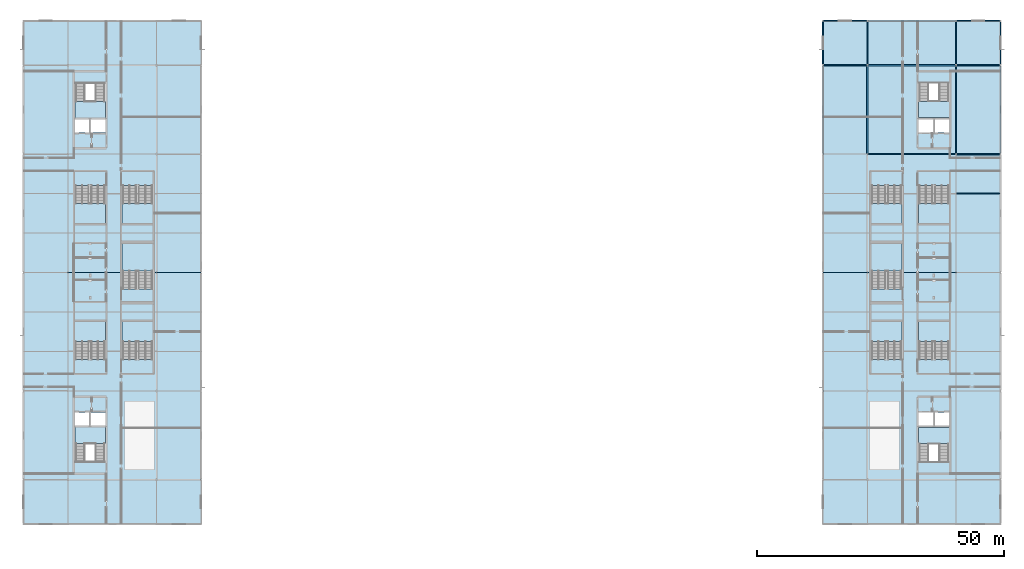
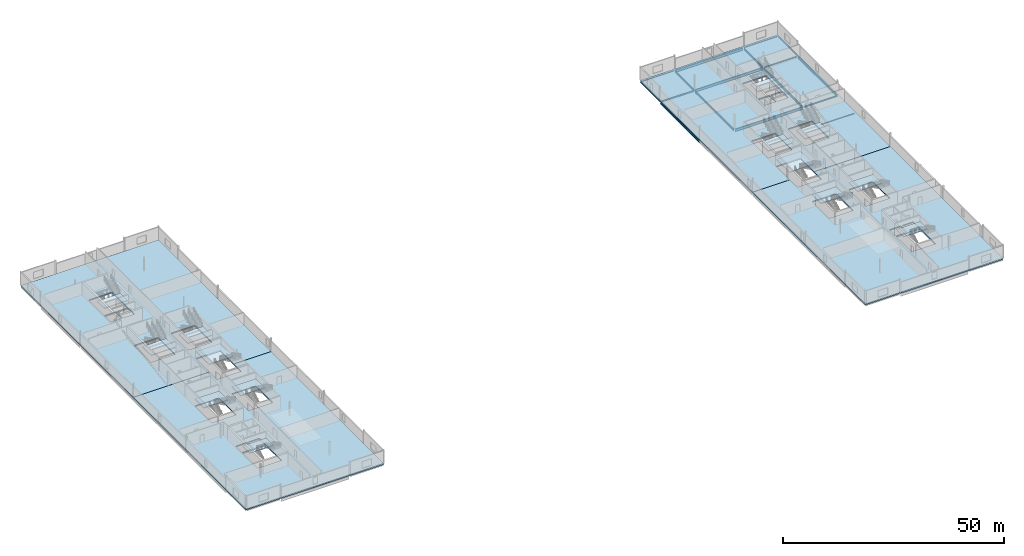
# One storey, part 10 of 27: 18 slabs, 17 beams, 14 elements without a shape of their own.
"""IFC4 building model written with IfcOpenShell, lengths in metres."""

from ifc_helpers import new_model, si_unit, direction, frame, origin, origin_2d, place, context, subcontext, project, spatial, polyline, hollow_rectangle, i_section, outline, extrude, material, layer, layer_set, material_profile, profile_set, type_object, element, aggregate, save


model = new_model("IFC4")

# Units and contexts
model_context = context("Model", 3, precision=1e-05, world=origin(), true_north=direction((0.0, 1.0)))
body_context = subcontext(model_context, "Body", "Model", "MODEL_VIEW")
ifc_project = project(units=[si_unit("LENGTHUNIT", "METRE"), si_unit("AREAUNIT", "SQUARE_METRE"), si_unit("VOLUMEUNIT", "CUBIC_METRE"), si_unit("PLANEANGLEUNIT", "RADIAN"), si_unit("MASSUNIT", "GRAM", prefix="KILO")], contexts=[model_context])

# Site, building, storey
site_placement = place(None, origin())
site = spatial("IfcSite", under=ifc_project, at=site_placement, CompositionType="ELEMENT")
building_placement = place(site_placement, origin())
building = spatial("IfcBuilding", under=site, at=building_placement, Name="Kisiwana Market Hall", CompositionType="ELEMENT")
storey_placement = place(building_placement, frame((0.0, 0.0, 41.699951171875)))
storey = spatial("IfcBuildingStorey", under=building, at=storey_placement, Name="L09", CompositionType="ELEMENT", Elevation=41.699951171875)

# Beams
ifc_material_1 = material(Name="Steel S355", Category="steel")
ifc_material_profile_1 = material_profile(ifc_material_1, i_section(OverallWidth=0.179931640625, OverallDepth=0.39990234375, WebThickness=0.008544921875, FlangeThickness=0.013427734375, FilletRadius=0.02099609375, at=origin_2d()), Name="IPE 400")
ifc_profile_set_1 = profile_set([ifc_material_profile_1], Name="Steel S355")
beam_type_1 = type_object("IfcBeamType", Name="BM-GIRD-IPE400", PredefinedType="BEAM", material=ifc_profile_set_1)
beam_1_placement = place(storey_placement, frame((189.14599609375, 84.0, -0.534912109375), z_axis=(1.0, 0.0, 0.0), x_axis=(0.0, 1.0, 0.0)))
element("IfcBeam", 1, at=beam_1_placement, inside=storey, type_object=beam_type_1, Name="Floor beam B-2297", PredefinedType="BEAM", context=body_context, shape_type="SweptSolid", body=[
    extrude(i_section(OverallWidth=0.179931640625, OverallDepth=0.39990234375, WebThickness=0.008544921875, FlangeThickness=0.013427734375, FilletRadius=0.02099609375, at=origin_2d()), origin(), (0.0, 0.0, 1.0), 8.748046875),
])
ifc_material_2 = material(Name="Steel S355", Category="steel")
ifc_material_profile_2 = material_profile(ifc_material_2, i_section(OverallWidth=0.18994140625, OverallDepth=0.449951171875, WebThickness=0.009521484375, FlangeThickness=0.0146484375, FilletRadius=0.02099609375, at=origin_2d()), Name="IPE 450")
ifc_profile_set_2 = profile_set([ifc_material_profile_2], Name="Steel S355")
beam_type_2 = type_object("IfcBeamType", Name="BM-GIRD-IPE450", PredefinedType="BEAM", material=ifc_profile_set_2)
beam_2_placement = place(storey_placement, frame((162.10595703125, 102.0, -0.56005859375), z_axis=(1.0, 0.0, 0.0), x_axis=(0.0, 1.0, 0.0)))
element("IfcBeam", 2, at=beam_2_placement, inside=storey, type_object=beam_type_2, Name="Floor beam B-2301", PredefinedType="BEAM", context=body_context, shape_type="SweptSolid", body=[
    extrude(i_section(OverallWidth=0.18994140625, OverallDepth=0.449951171875, WebThickness=0.009521484375, FlangeThickness=0.0146484375, FilletRadius=0.02099609375, at=origin_2d()), origin(), (0.0, 0.0, 1.0), 8.748046875),
])
ifc_material_3 = material(Name="Steel S355", Category="steel")
ifc_material_profile_3 = material_profile(ifc_material_3, i_section(OverallWidth=0.209228515625, OverallDepth=0.533203125, WebThickness=0.010009765625, FlangeThickness=0.015625, at=origin_2d()), Name="UB 533x210x92")
ifc_profile_set_3 = profile_set([ifc_material_profile_3], Name="Steel S355")
beam_type_3 = type_object("IfcBeamType", Name="BM-GIRD-UB533", PredefinedType="BEAM", material=ifc_profile_set_3)
for number, where, z_axis, x_axis, name in (
    (3, (171.0, 102.14599609375, -0.6015625), (0.0, 1.0, 0.0), (-1.0, 0.0, 0.0), "Primary girder B-2243"),
    (4, (189.0, 102.14599609375, -0.6015625), (0.0, 1.0, 0.0), (-1.0, 0.0, 0.0), "Primary girder B-2249"),
):
    element("IfcBeam", number, at=place(storey_placement, frame(where, z_axis=z_axis, x_axis=x_axis)), inside=storey, type_object=beam_type_3, Name=name, PredefinedType="BEAM", context=body_context, shape_type="SweptSolid", body=[
        extrude(i_section(OverallWidth=0.209228515625, OverallDepth=0.533203125, WebThickness=0.010009765625, FlangeThickness=0.015625, at=origin_2d()), origin(), (0.0, 0.0, 1.0), 8.7080078125),
    ])
ifc_material_4 = material(Name="Steel S355", Category="steel")
ifc_material_profile_4 = material_profile(ifc_material_4, i_section(OverallWidth=0.22900390625, OverallDepth=0.6123046875, WebThickness=0.011962890625, FlangeThickness=0.01953125, at=origin_2d()), Name="UB 610x229x125")
ifc_profile_set_4 = profile_set([ifc_material_profile_4], Name="Steel S355")
beam_type_4 = type_object("IfcBeamType", Name="BM-GIRD-UB610H", PredefinedType="BEAM", material=ifc_profile_set_4)
for number, where, z_axis, x_axis, name in (
    (5, (162.0, 84.10595703125, -0.64111328125), (0.0, 1.0, 0.0), (-1.0, 0.0, 0.0), "Floor beam B-2324"),
    (6, (198.0, 84.10595703125, -0.64111328125), (0.0, 1.0, 0.0), (-1.0, 0.0, 0.0), "Floor beam B-2332"),
):
    element("IfcBeam", number, at=place(storey_placement, frame(where, z_axis=z_axis, x_axis=x_axis)), inside=storey, type_object=beam_type_4, Name=name, PredefinedType="BEAM", context=body_context, shape_type="SweptSolid", body=[
        extrude(i_section(OverallWidth=0.22900390625, OverallDepth=0.6123046875, WebThickness=0.011962890625, FlangeThickness=0.01953125, at=origin_2d()), origin(), (0.0, 0.0, 1.0), 17.7880859375),
    ])
for number, where, z_axis, x_axis, name in (
    (7, (171.0, 84.14599609375, -0.64111328125), (0.0, 1.0, 0.0), (-1.0, 0.0, 0.0), "Primary girder B-2242"),
    (8, (189.0, 84.14599609375, -0.64111328125), (0.0, 1.0, 0.0), (-1.0, 0.0, 0.0), "Primary girder B-2248"),
):
    element("IfcBeam", number, at=place(storey_placement, frame(where, z_axis=z_axis, x_axis=x_axis)), inside=storey, type_object=beam_type_4, Name=name, PredefinedType="BEAM", context=body_context, shape_type="SweptSolid", body=[
        extrude(i_section(OverallWidth=0.22900390625, OverallDepth=0.6123046875, WebThickness=0.011962890625, FlangeThickness=0.01953125, at=origin_2d()), origin(), (0.0, 0.0, 1.0), 17.7080078125),
    ])
ifc_material_5 = material(Name="Steel S355", Category="steel")
ifc_material_profile_5 = material_profile(ifc_material_5, i_section(OverallWidth=0.2666015625, OverallDepth=0.76220703125, WebThickness=0.014404296875, FlangeThickness=0.021484375, at=origin_2d()), Name="UB 762x267x173")
ifc_profile_set_5 = profile_set([ifc_material_profile_5], Name="Steel S355")
beam_type_5 = type_object("IfcBeamType", Name="BM-GIRD-UB762", PredefinedType="BEAM", material=ifc_profile_set_5)
for number, where, z_axis, x_axis, name in (
    (9, (171.14599609375, 84.0, -0.716064453125), (1.0, 0.0, 0.0), (0.0, 1.0, 0.0), "Floor beam B-2296"),
    (10, (171.14599609375, 102.0, -0.716064453125), (1.0, 0.0, 0.0), (0.0, 1.0, 0.0), "Floor beam B-2302"),
    (11, (171.14599609375, 111.0, -0.716064453125), (1.0, 0.0, 0.0), (0.0, 1.0, 0.0), "Floor beam B-2308"),
):
    element("IfcBeam", number, at=place(storey_placement, frame(where, z_axis=z_axis, x_axis=x_axis)), inside=storey, type_object=beam_type_5, Name=name, PredefinedType="BEAM", context=body_context, shape_type="SweptSolid", body=[
        extrude(i_section(OverallWidth=0.2666015625, OverallDepth=0.76220703125, WebThickness=0.014404296875, FlangeThickness=0.021484375, at=origin_2d()), origin(), (0.0, 0.0, 1.0), 17.7080078125),
    ])
ifc_material_6 = material(Name="Steel S355", Category="steel")
ifc_material_profile_6 = material_profile(ifc_material_6, i_section(OverallWidth=0.169921875, OverallDepth=0.360107421875, WebThickness=0.008056640625, FlangeThickness=0.0126953125, FilletRadius=0.01806640625, at=origin_2d()), Name="IPE 360")
ifc_profile_set_6 = profile_set([ifc_material_profile_6], Name="Steel S355")
beam_type_6 = type_object("IfcBeamType", Name="BM-JOIST-IPE360", PredefinedType="JOIST", material=ifc_profile_set_6)
beam_3_placement = place(storey_placement, frame((189.14599609375, 102.0, -0.514892578125), z_axis=(1.0, 0.0, 0.0), x_axis=(0.0, 1.0, 0.0)))
element("IfcBeam", 12, at=beam_3_placement, inside=storey, type_object=beam_type_6, Name="Floor beam B-2303", PredefinedType="JOIST", context=body_context, shape_type="SweptSolid", body=[
    extrude(i_section(OverallWidth=0.169921875, OverallDepth=0.360107421875, WebThickness=0.008056640625, FlangeThickness=0.0126953125, FilletRadius=0.01806640625, at=origin_2d()), origin(), (0.0, 0.0, 1.0), 8.748046875),
])
ifc_material_7 = material(Name="Steel S355", Category="steel")
ifc_material_profile_7 = material_profile(ifc_material_7, i_section(OverallWidth=0.165771484375, OverallDepth=0.306640625, WebThickness=0.006591796875, FlangeThickness=0.01171875, at=origin_2d()), Name="UB 305x165x46")
ifc_profile_set_7 = profile_set([ifc_material_profile_7], Name="Steel S355")
beam_type_7 = type_object("IfcBeamType", Name="BM-JOIST-UB305H", PredefinedType="JOIST", material=ifc_profile_set_7)
beam_4_placement = place(storey_placement, frame((189.113525390625, 76.0, -0.48828125), z_axis=(1.0, 0.0, 0.0), x_axis=(0.0, 1.0, 0.0)))
element("IfcBeam", 13, at=beam_4_placement, inside=storey, type_object=beam_type_7, Name="Secondary floor joist B-2273", PredefinedType="JOIST", context=body_context, shape_type="SweptSolid", body=[
    extrude(i_section(OverallWidth=0.165771484375, OverallDepth=0.306640625, WebThickness=0.006591796875, FlangeThickness=0.01171875, at=origin_2d()), origin(), (0.0, 0.0, 1.0), 8.77294921875),
])
ifc_material_8 = material(Name="Steel S355", Category="steel")
ifc_material_profile_8 = material_profile(ifc_material_8, hollow_rectangle(XDim=0.14990234375, YDim=0.25, WallThickness=0.010009765625, at=origin_2d()), Name="RHS 250x150x10.0")
ifc_profile_set_8 = profile_set([ifc_material_profile_8], Name="Steel S355")
beam_type_8 = type_object("IfcBeamType", Name="BM-SPAN-RHS250", PredefinedType="SPANDREL", material=ifc_profile_set_8)
for number, where, z_axis, x_axis, name in (
    (14, (162.10595703125, 111.0, -0.4599609375), (1.0, 0.0, 0.0), (0.0, 1.0, 0.0), "Floor beam B-2307"),
    (15, (189.14599609375, 111.0, -0.4599609375), (1.0, 0.0, 0.0), (0.0, 1.0, 0.0), "Floor beam B-2309"),
):
    element("IfcBeam", number, at=place(storey_placement, frame(where, z_axis=z_axis, x_axis=x_axis)), inside=storey, type_object=beam_type_8, Name=name, PredefinedType="SPANDREL", context=body_context, shape_type="SweptSolid", body=[
        extrude(hollow_rectangle(XDim=0.14990234375, YDim=0.25, WallThickness=0.010009765625, at=origin_2d()), origin(), (0.0, 0.0, 1.0), 8.748046875),
    ])
for number, where, z_axis, x_axis, name in (
    (16, (162.0, 102.10595703125, -0.4599609375), (0.0, 1.0, 0.0), (-1.0, 0.0, 0.0), "Floor beam B-2325"),
    (17, (198.0, 102.10595703125, -0.4599609375), (0.0, 1.0, 0.0), (-1.0, 0.0, 0.0), "Floor beam B-2333"),
):
    element("IfcBeam", number, at=place(storey_placement, frame(where, z_axis=z_axis, x_axis=x_axis)), inside=storey, type_object=beam_type_8, Name=name, PredefinedType="SPANDREL", context=body_context, shape_type="SweptSolid", body=[
        extrude(hollow_rectangle(XDim=0.14990234375, YDim=0.25, WallThickness=0.010009765625, at=origin_2d()), origin(), (0.0, 0.0, 1.0), 8.7880859375),
    ])

# Stair, slab
ifc_material_9 = material(Name="Concrete C32/40", Category="concrete")
stair_type_1 = type_object("IfcStairType", Name="ST-TWR-3900", PredefinedType="TWO_STRAIGHT_RUN_STAIR", material=ifc_material_9)
stair_1_placement = place(storey_placement, origin())
stair_1 = element("IfcStair", 18, at=stair_1_placement, inside=storey, type_object=stair_type_1, Name="Escape stair ST-W2-L09", PredefinedType="TWO_STRAIGHT_RUN_STAIR")
ifc_material_10 = material(Name="Concrete C32/40", Category="concrete")
ifc_layer_1 = layer(ifc_material_10, 0.239990234375)
ifc_layer_set_1 = layer_set([ifc_layer_1], Name="SL-LANDING-160")
slab_type_1 = type_object("IfcSlabType", Name="SL-LANDING-160", PredefinedType="LANDING", material=ifc_layer_set_1)
slab_1_placement = place(storey_placement, frame((0.0, 0.0, 1.7099609375)))
slab_1 = element("IfcSlab", 19, at=slab_1_placement, type_object=slab_type_1, Name="ST-W2-L09 landing 1 S-356", PredefinedType="LANDING", context=body_context, shape_type="SweptSolid", body=[
    extrude(outline(polyline([(10.405029296875, 25.333984375), (16.594970703125, 25.333984375), (16.594970703125, 28.64501953125), (10.405029296875, 28.64501953125), (10.405029296875, 25.333984375)])), origin(), (0.0, 0.0, 1.0), 0.239990234375),
])
aggregate(stair_1, [slab_1])

stair_2_placement = place(storey_placement, origin())
stair_2 = element("IfcStair", 20, at=stair_2_placement, inside=storey, type_object=stair_type_1, Name="Escape stair ST-W1-L09", PredefinedType="TWO_STRAIGHT_RUN_STAIR")
slab_2_placement = place(storey_placement, frame((0.0, 0.0, 1.7099609375)))
slab_2 = element("IfcSlab", 21, at=slab_2_placement, type_object=slab_type_1, Name="ST-W1-L09 landing 1 S-355", PredefinedType="LANDING", context=body_context, shape_type="SweptSolid", body=[
    extrude(outline(polyline([(10.405029296875, 91.35498046875), (16.594970703125, 91.35498046875), (16.594970703125, 94.666015625), (10.405029296875, 94.666015625), (10.405029296875, 91.35498046875)])), origin(), (0.0, 0.0, 1.0), 0.239990234375),
])
aggregate(stair_2, [slab_2])

stair_3_placement = place(storey_placement, origin())
stair_3 = element("IfcStair", 22, at=stair_3_placement, inside=storey, type_object=stair_type_1, Name="Escape stair ST-E2-L09", PredefinedType="TWO_STRAIGHT_RUN_STAIR")
slab_3_placement = place(storey_placement, frame((0.0, 0.0, 1.7099609375)))
slab_3 = element("IfcSlab", 23, at=slab_3_placement, type_object=slab_type_1, Name="ST-E2-L09 landing 1 S-349", PredefinedType="LANDING", context=body_context, shape_type="SweptSolid", body=[
    extrude(outline(polyline([(181.3798828125, 25.30908203125), (187.6201171875, 25.30908203125), (187.6201171875, 28.6201171875), (181.3798828125, 28.6201171875), (181.3798828125, 25.30908203125)])), origin(), (0.0, 0.0, 1.0), 0.239990234375),
])
aggregate(stair_3, [slab_3])

stair_4_placement = place(storey_placement, origin())
stair_4 = element("IfcStair", 24, at=stair_4_placement, inside=storey, type_object=stair_type_1, Name="Escape stair ST-E1-L09", PredefinedType="TWO_STRAIGHT_RUN_STAIR")
slab_4_placement = place(storey_placement, frame((0.0, 0.0, 1.7099609375)))
slab_4 = element("IfcSlab", 25, at=slab_4_placement, type_object=slab_type_1, Name="ST-E1-L09 landing 1 S-348", PredefinedType="LANDING", context=body_context, shape_type="SweptSolid", body=[
    extrude(outline(polyline([(181.3798828125, 91.3798828125), (187.6201171875, 91.3798828125), (187.6201171875, 94.69091796875), (181.3798828125, 94.69091796875), (181.3798828125, 91.3798828125)])), origin(), (0.0, 0.0, 1.0), 0.239990234375),
])
aggregate(stair_4, [slab_4])

ifc_material_11 = material(Name="Concrete C32/40", Category="concrete")
stair_type_2 = type_object("IfcStairType", Name="ST-ESC-3900", PredefinedType="TWO_STRAIGHT_RUN_STAIR", material=ifc_material_11)
stair_5_placement = place(storey_placement, origin())
stair_5 = element("IfcStair", 26, at=stair_5_placement, inside=storey, type_object=stair_type_2, Name="Escape stair ST-W3-L09", PredefinedType="TWO_STRAIGHT_RUN_STAIR")
slab_5_placement = place(storey_placement, frame((0.0, 0.0, 1.7099609375)))
slab_5 = element("IfcSlab", 27, at=slab_5_placement, type_object=slab_type_1, Name="ST-W3-L09 landing 1 S-357", PredefinedType="LANDING", context=body_context, shape_type="SweptSolid", body=[
    extrude(outline(polyline([(10.340087890625, 46.01953125), (16.659912109375, 46.01953125), (16.659912109375, 50.06005859375), (10.340087890625, 50.06005859375), (10.340087890625, 46.01953125)])), origin(), (0.0, 0.0, 1.0), 0.239990234375),
])
aggregate(stair_5, [slab_5])

stair_6_placement = place(storey_placement, origin())
stair_6 = element("IfcStair", 28, at=stair_6_placement, inside=storey, type_object=stair_type_2, Name="Escape stair ST-W4-L09", PredefinedType="TWO_STRAIGHT_RUN_STAIR")
slab_6_placement = place(storey_placement, frame((0.0, 0.0, 1.7099609375)))
slab_6 = element("IfcSlab", 29, at=slab_6_placement, type_object=slab_type_1, Name="ST-W4-L09 landing 1 S-358", PredefinedType="LANDING", context=body_context, shape_type="SweptSolid", body=[
    extrude(outline(polyline([(10.340087890625, 69.93994140625), (16.659912109375, 69.93994140625), (16.659912109375, 73.98046875), (10.340087890625, 73.98046875), (10.340087890625, 69.93994140625)])), origin(), (0.0, 0.0, 1.0), 0.239990234375),
])
aggregate(stair_6, [slab_6])

stair_7_placement = place(storey_placement, origin())
stair_7 = element("IfcStair", 30, at=stair_7_placement, inside=storey, type_object=stair_type_2, Name="Escape stair ST-E3-L09", PredefinedType="TWO_STRAIGHT_RUN_STAIR")
slab_7_placement = place(storey_placement, frame((0.0, 0.0, 1.7099609375)))
slab_7 = element("IfcSlab", 31, at=slab_7_placement, type_object=slab_type_1, Name="ST-E3-L09 landing 1 S-350", PredefinedType="LANDING", context=body_context, shape_type="SweptSolid", body=[
    extrude(outline(polyline([(181.340087890625, 46.01953125), (187.659912109375, 46.01953125), (187.659912109375, 50.06005859375), (181.340087890625, 50.06005859375), (181.340087890625, 46.01953125)])), origin(), (0.0, 0.0, 1.0), 0.239990234375),
])
aggregate(stair_7, [slab_7])

stair_8_placement = place(storey_placement, origin())
stair_8 = element("IfcStair", 32, at=stair_8_placement, inside=storey, type_object=stair_type_2, Name="Escape stair ST-E4-L09", PredefinedType="TWO_STRAIGHT_RUN_STAIR")
slab_8_placement = place(storey_placement, frame((0.0, 0.0, 1.7099609375)))
slab_8 = element("IfcSlab", 33, at=slab_8_placement, type_object=slab_type_1, Name="ST-E4-L09 landing 1 S-351", PredefinedType="LANDING", context=body_context, shape_type="SweptSolid", body=[
    extrude(outline(polyline([(181.340087890625, 69.93994140625), (187.659912109375, 69.93994140625), (187.659912109375, 73.98046875), (181.340087890625, 73.98046875), (181.340087890625, 69.93994140625)])), origin(), (0.0, 0.0, 1.0), 0.239990234375),
])
aggregate(stair_8, [slab_8])

stair_9_placement = place(storey_placement, origin())
stair_9 = element("IfcStair", 34, at=stair_9_placement, inside=storey, type_object=stair_type_2, Name="Escape stair ST-W7-L09", PredefinedType="TWO_STRAIGHT_RUN_STAIR")
slab_9_placement = place(storey_placement, frame((0.0, 0.0, 1.7099609375)))
slab_9 = element("IfcSlab", 35, at=slab_9_placement, type_object=slab_type_1, Name="ST-W7-L09 landing 1 S-360", PredefinedType="LANDING", context=body_context, shape_type="SweptSolid", body=[
    extrude(outline(polyline([(19.93994140625, 46.01953125), (26.260009765625, 46.01953125), (26.260009765625, 50.06005859375), (19.93994140625, 50.06005859375), (19.93994140625, 46.01953125)])), origin(), (0.0, 0.0, 1.0), 0.239990234375),
])
aggregate(stair_9, [slab_9])

stair_10_placement = place(storey_placement, origin())
stair_10 = element("IfcStair", 36, at=stair_10_placement, inside=storey, type_object=stair_type_2, Name="Escape stair ST-E7-L09", PredefinedType="TWO_STRAIGHT_RUN_STAIR")
slab_10_placement = place(storey_placement, frame((0.0, 0.0, 1.7099609375)))
slab_10 = element("IfcSlab", 37, at=slab_10_placement, type_object=slab_type_1, Name="ST-E7-L09 landing 1 S-353", PredefinedType="LANDING", context=body_context, shape_type="SweptSolid", body=[
    extrude(outline(polyline([(171.739990234375, 46.01953125), (178.06005859375, 46.01953125), (178.06005859375, 50.06005859375), (171.739990234375, 50.06005859375), (171.739990234375, 46.01953125)])), origin(), (0.0, 0.0, 1.0), 0.239990234375),
])
aggregate(stair_10, [slab_10])

stair_11_placement = place(storey_placement, origin())
stair_11 = element("IfcStair", 38, at=stair_11_placement, inside=storey, type_object=stair_type_2, Name="Escape stair ST-W8-L09", PredefinedType="TWO_STRAIGHT_RUN_STAIR")
slab_11_placement = place(storey_placement, frame((0.0, 0.0, 1.7099609375)))
slab_11 = element("IfcSlab", 39, at=slab_11_placement, type_object=slab_type_1, Name="ST-W8-L09 landing 1 S-361", PredefinedType="LANDING", context=body_context, shape_type="SweptSolid", body=[
    extrude(outline(polyline([(19.93994140625, 69.93994140625), (26.260009765625, 69.93994140625), (26.260009765625, 73.98046875), (19.93994140625, 73.98046875), (19.93994140625, 69.93994140625)])), origin(), (0.0, 0.0, 1.0), 0.239990234375),
])
aggregate(stair_11, [slab_11])

stair_12_placement = place(storey_placement, origin())
stair_12 = element("IfcStair", 40, at=stair_12_placement, inside=storey, type_object=stair_type_2, Name="Escape stair ST-E8-L09", PredefinedType="TWO_STRAIGHT_RUN_STAIR")
slab_12_placement = place(storey_placement, frame((0.0, 0.0, 1.7099609375)))
slab_12 = element("IfcSlab", 41, at=slab_12_placement, type_object=slab_type_1, Name="ST-E8-L09 landing 1 S-354", PredefinedType="LANDING", context=body_context, shape_type="SweptSolid", body=[
    extrude(outline(polyline([(171.739990234375, 69.93994140625), (178.06005859375, 69.93994140625), (178.06005859375, 73.98046875), (171.739990234375, 73.98046875), (171.739990234375, 69.93994140625)])), origin(), (0.0, 0.0, 1.0), 0.239990234375),
])
aggregate(stair_12, [slab_12])

stair_13_placement = place(storey_placement, origin())
stair_13 = element("IfcStair", 42, at=stair_13_placement, inside=storey, type_object=stair_type_2, Name="Escape stair ST-W5-L09", PredefinedType="TWO_STRAIGHT_RUN_STAIR")
slab_13_placement = place(storey_placement, frame((0.0, 0.0, 1.7099609375)))
slab_13 = element("IfcSlab", 43, at=slab_13_placement, type_object=slab_type_1, Name="ST-W5-L09 landing 1 S-359", PredefinedType="LANDING", context=body_context, shape_type="SweptSolid", body=[
    extrude(outline(polyline([(19.93994140625, 60.299560546875), (26.260009765625, 60.299560546875), (26.260009765625, 66.179931640625), (19.93994140625, 66.179931640625), (19.93994140625, 60.299560546875)])), origin(), (0.0, 0.0, 1.0), 0.239990234375),
])
aggregate(stair_13, [slab_13])

stair_14_placement = place(storey_placement, origin())
stair_14 = element("IfcStair", 44, at=stair_14_placement, inside=storey, type_object=stair_type_2, Name="Escape stair ST-E5-L09", PredefinedType="TWO_STRAIGHT_RUN_STAIR")
slab_14_placement = place(storey_placement, frame((0.0, 0.0, 1.7099609375)))
slab_14 = element("IfcSlab", 45, at=slab_14_placement, type_object=slab_type_1, Name="ST-E5-L09 landing 1 S-352", PredefinedType="LANDING", context=body_context, shape_type="SweptSolid", body=[
    extrude(outline(polyline([(171.739990234375, 60.299560546875), (178.06005859375, 60.299560546875), (178.06005859375, 66.179931640625), (171.739990234375, 66.179931640625), (171.739990234375, 60.299560546875)])), origin(), (0.0, 0.0, 1.0), 0.239990234375),
])
aggregate(stair_14, [slab_14])

# Slabs
ifc_material_12 = material(Name="Concrete C32/40", Category="concrete")
ifc_layer_2 = layer(ifc_material_12, 0.3349609375)
ifc_layer_set_2 = layer_set([ifc_layer_2], Name="SL-OFF-270")
slab_type_2 = type_object("IfcSlabType", Name="SL-OFF-270", PredefinedType="FLOOR", material=ifc_layer_set_2)
slab_15_placement = place(storey_placement, frame((0.0, 0.0, -0.3349609375)))
element("IfcSlab", 46, at=slab_15_placement, inside=storey, type_object=slab_type_2, Name="Structural slab S-344", PredefinedType="FLOOR", context=body_context, shape_type="SweptSolid", body=[
    extrude(outline(polyline([(0.0, 9.0), (36.0, 9.0), (36.0, 60.0), (26.239990234375, 60.0), (26.239990234375, 56.659912109375), (19.9599609375, 56.659912109375), (19.9599609375, 60.0), (0.0, 60.0), (0.0, 9.0)]), holes=[polyline([(10.425048828125, 21.675048828125), (16.574951171875, 21.675048828125), (16.574951171875, 28.625), (10.425048828125, 28.625), (10.425048828125, 21.675048828125)]), polyline([(10.425048828125, 28.945068359375), (13.340087890625, 28.945068359375), (13.340087890625, 31.675048828125), (10.425048828125, 31.675048828125), (10.425048828125, 28.945068359375)]), polyline([(13.659912109375, 28.945068359375), (16.574951171875, 28.945068359375), (16.574951171875, 31.675048828125), (13.659912109375, 31.675048828125), (13.659912109375, 28.945068359375)]), polyline([(10.360107421875, 42.3798828125), (16.639892578125, 42.3798828125), (16.639892578125, 50.0400390625), (10.360107421875, 50.0400390625), (10.360107421875, 42.3798828125)]), polyline([(19.9599609375, 42.3798828125), (26.239990234375, 42.3798828125), (26.239990234375, 50.0400390625), (19.9599609375, 50.0400390625), (19.9599609375, 42.3798828125)])]), origin(), (0.0, 0.0, 1.0), 0.3349609375),
])
slab_16_placement = place(storey_placement, frame((0.0, 0.0, -0.3349609375)))
element("IfcSlab", 47, at=slab_16_placement, inside=storey, type_object=slab_type_2, Name="Structural slab S-345", PredefinedType="FLOOR", context=body_context, shape_type="SweptSolid", body=[
    extrude(outline(polyline([(0.0, 60.0), (19.9599609375, 60.0), (19.9599609375, 66.159912109375), (26.239990234375, 66.159912109375), (26.239990234375, 60.0), (36.0, 60.0), (36.0, 111.0), (0.0, 111.0), (0.0, 60.0)]), holes=[polyline([(10.425048828125, 91.375), (16.574951171875, 91.375), (16.574951171875, 98.324951171875), (10.425048828125, 98.324951171875), (10.425048828125, 91.375)]), polyline([(10.425048828125, 88.324951171875), (13.340087890625, 88.324951171875), (13.340087890625, 91.054931640625), (10.425048828125, 91.054931640625), (10.425048828125, 88.324951171875)]), polyline([(13.659912109375, 88.324951171875), (16.574951171875, 88.324951171875), (16.574951171875, 91.054931640625), (13.659912109375, 91.054931640625), (13.659912109375, 88.324951171875)]), polyline([(10.360107421875, 69.9599609375), (16.639892578125, 69.9599609375), (16.639892578125, 77.6201171875), (10.360107421875, 77.6201171875), (10.360107421875, 69.9599609375)]), polyline([(19.9599609375, 69.9599609375), (26.239990234375, 69.9599609375), (26.239990234375, 77.6201171875), (19.9599609375, 77.6201171875), (19.9599609375, 69.9599609375)])]), origin(), (0.0, 0.0, 1.0), 0.3349609375),
])
slab_17_placement = place(storey_placement, frame((0.0, 0.0, -0.3349609375)))
element("IfcSlab", 48, at=slab_17_placement, inside=storey, type_object=slab_type_2, Name="Structural slab S-346", PredefinedType="FLOOR", context=body_context, shape_type="SweptSolid", body=[
    extrude(outline(polyline([(162.0, 9.0), (198.0, 9.0), (198.0, 60.0), (178.0400390625, 60.0), (178.0400390625, 56.659912109375), (171.760009765625, 56.659912109375), (171.760009765625, 60.0), (162.0, 60.0), (162.0, 9.0)]), holes=[polyline([(181.39990234375, 21.64990234375), (187.60009765625, 21.64990234375), (187.60009765625, 28.60009765625), (181.39990234375, 28.60009765625), (181.39990234375, 21.64990234375)]), polyline([(181.39990234375, 28.919921875), (184.340087890625, 28.919921875), (184.340087890625, 31.64990234375), (181.39990234375, 31.64990234375), (181.39990234375, 28.919921875)]), polyline([(184.659912109375, 28.919921875), (187.60009765625, 28.919921875), (187.60009765625, 31.64990234375), (184.659912109375, 31.64990234375), (184.659912109375, 28.919921875)]), polyline([(181.360107421875, 42.3798828125), (187.639892578125, 42.3798828125), (187.639892578125, 50.0400390625), (181.360107421875, 50.0400390625), (181.360107421875, 42.3798828125)]), polyline([(171.760009765625, 42.3798828125), (178.0400390625, 42.3798828125), (178.0400390625, 50.0400390625), (171.760009765625, 50.0400390625), (171.760009765625, 42.3798828125)])]), origin(), (0.0, 0.0, 1.0), 0.3349609375),
])
slab_18_placement = place(storey_placement, frame((0.0, 0.0, -0.3349609375)))
element("IfcSlab", 49, at=slab_18_placement, inside=storey, type_object=slab_type_2, Name="Structural slab S-347", PredefinedType="FLOOR", context=body_context, shape_type="SweptSolid", body=[
    extrude(outline(polyline([(162.0, 60.0), (171.760009765625, 60.0), (171.760009765625, 66.159912109375), (178.0400390625, 66.159912109375), (178.0400390625, 60.0), (198.0, 60.0), (198.0, 111.0), (162.0, 111.0), (162.0, 60.0)]), holes=[polyline([(181.39990234375, 91.39990234375), (187.60009765625, 91.39990234375), (187.60009765625, 98.35009765625), (181.39990234375, 98.35009765625), (181.39990234375, 91.39990234375)]), polyline([(181.39990234375, 88.35009765625), (184.340087890625, 88.35009765625), (184.340087890625, 91.080078125), (181.39990234375, 91.080078125), (181.39990234375, 88.35009765625)]), polyline([(184.659912109375, 88.35009765625), (187.60009765625, 88.35009765625), (187.60009765625, 91.080078125), (184.659912109375, 91.080078125), (184.659912109375, 88.35009765625)]), polyline([(181.360107421875, 69.9599609375), (187.639892578125, 69.9599609375), (187.639892578125, 77.6201171875), (181.360107421875, 77.6201171875), (181.360107421875, 69.9599609375)]), polyline([(171.760009765625, 69.9599609375), (178.0400390625, 69.9599609375), (178.0400390625, 77.6201171875), (171.760009765625, 77.6201171875), (171.760009765625, 69.9599609375)])]), origin(), (0.0, 0.0, 1.0), 0.3349609375),
])

save(model, "model.ifc")
